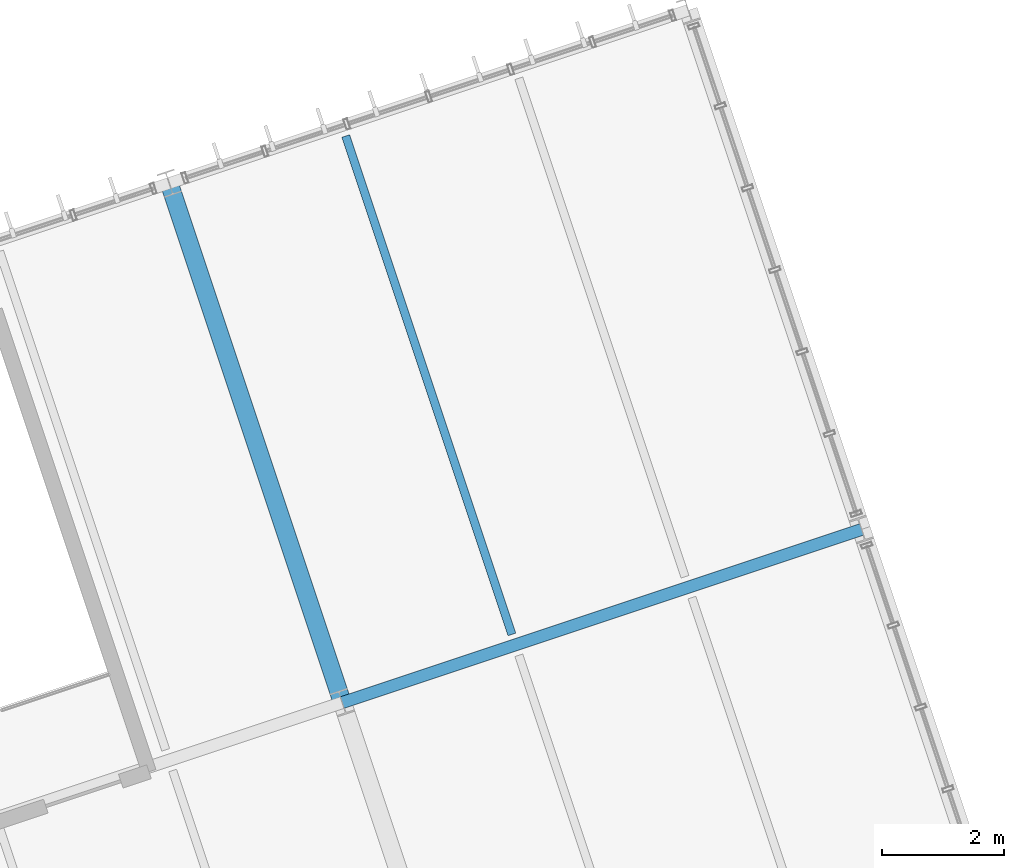
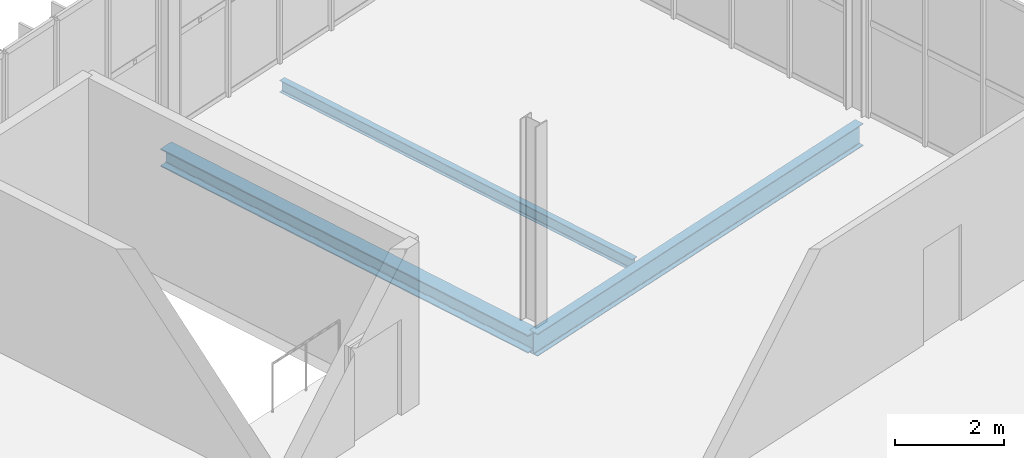
# One storey, part 89 of 152: 3 beams.
"""IFC4 building model written with IfcOpenShell, lengths in metres."""

from ifc_helpers import new_model, si_unit, derived_unit, direction, frame, origin, origin_2d, place, context, subcontext, project, spatial, i_section, extrude, material, material_profile, profile_set, type_object, element, save


model = new_model("IFC4")

# Units and contexts
model_context = context("Model", 3, precision=1e-05, world=origin(), true_north=direction((0.0, 1.0)))
body_context = subcontext(model_context, "Body", "Model", "MODEL_VIEW")
ifc_project = project(units=[si_unit("LENGTHUNIT", "METRE"), si_unit("AREAUNIT", "SQUARE_METRE"), si_unit("VOLUMEUNIT", "CUBIC_METRE"), si_unit("PLANEANGLEUNIT", "RADIAN"), si_unit("MASSUNIT", "GRAM", prefix="KILO"), si_unit("THERMODYNAMICTEMPERATUREUNIT", "KELVIN"), si_unit("TIMEUNIT", "SECOND"), derived_unit("THERMALTRANSMITTANCEUNIT", [(si_unit("MASSUNIT", "GRAM", prefix="KILO"), 1), (si_unit("THERMODYNAMICTEMPERATUREUNIT", "KELVIN"), -1), (si_unit("TIMEUNIT", "SECOND"), -3)])], contexts=[model_context])

# Site, building, storey
site_placement = place(None, origin())
site = spatial("IfcSite", under=ifc_project, at=site_placement, CompositionType="ELEMENT")
building_placement = place(site_placement, origin())
building = spatial("IfcBuilding", under=site, at=building_placement, Name="Cambertide Market Hall", CompositionType="ELEMENT")
storey_placement = place(building_placement, frame((0.0, 0.0, 5.39990234375)))
storey = spatial("IfcBuildingStorey", under=building, at=storey_placement, Name="L02", CompositionType="ELEMENT", Elevation=5.39990234375)

# Beams
ifc_material_1 = material(Name="Steel S355", Category="steel")
ifc_material_profile_1 = material_profile(ifc_material_1, i_section(OverallWidth=0.300048828125, OverallDepth=0.39990234375, WebThickness=0.013427734375, FlangeThickness=0.02392578125, FilletRadius=0.027099609375, at=origin_2d()), Name="HEB 400")
ifc_profile_set_1 = profile_set([ifc_material_profile_1], Name="Steel S355")
beam_type_1 = type_object("IfcBeamType", Name="Steel Girder HEB 400", PredefinedType="BEAM", material=ifc_profile_set_1)
beam_1_placement = place(storey_placement, frame((151.536865234375, 46.152587890625, -0.449951171875), z_axis=(-0.31624404204, 0.948677872554, 0.0), x_axis=(-0.948677872554, -0.31624404204, 0.0)))
element("IfcBeam", 1, at=beam_1_placement, inside=storey, type_object=beam_type_1, Name="Level 2 Beam BM-V3V-L02-7-3", PredefinedType="BEAM", context=body_context, shape_type="SweptSolid", body=[
    extrude(i_section(OverallWidth=0.300048828125, OverallDepth=0.39990234375, WebThickness=0.013427734375, FlangeThickness=0.02392578125, FilletRadius=0.027099609375, at=origin_2d()), origin(), (0.0, 0.0, 1.0), 9.0),
])
ifc_material_2 = material(Name="Steel S355", Category="steel")
ifc_material_profile_2 = material_profile(ifc_material_2, i_section(OverallWidth=0.199951171875, OverallDepth=0.5, WebThickness=0.01025390625, FlangeThickness=0.01611328125, FilletRadius=0.02099609375, at=origin_2d()), Name="IPE 500")
ifc_profile_set_2 = profile_set([ifc_material_profile_2], Name="Steel S355")
beam_type_2 = type_object("IfcBeamType", Name="Steel Girder IPE 500", PredefinedType="BEAM", material=ifc_profile_set_2)
beam_2_placement = place(storey_placement, frame((151.536865234375, 46.152587890625, -0.5), z_axis=(0.948686010717, 0.3162196279, 0.0), x_axis=(-0.3162196279, 0.948686010717, 0.0)))
element("IfcBeam", 2, at=beam_2_placement, inside=storey, type_object=beam_type_2, Name="Level 2 Beam BM-V3U-L02-7-3", PredefinedType="BEAM", context=body_context, shape_type="SweptSolid", body=[
    extrude(i_section(OverallWidth=0.199951171875, OverallDepth=0.5, WebThickness=0.01025390625, FlangeThickness=0.01611328125, FilletRadius=0.02099609375, at=origin_2d()), origin(), (0.0, 0.0, 1.0), 9.0),
])
ifc_material_3 = material(Name="Steel S275", Category="steel")
ifc_material_profile_3 = material_profile(ifc_material_3, i_section(OverallWidth=0.135009765625, OverallDepth=0.27001953125, WebThickness=0.006591796875, FlangeThickness=0.01025390625, FilletRadius=0.014892578125, at=origin_2d()), Name="IPE 270")
ifc_profile_set_3 = profile_set([ifc_material_profile_3], Name="Steel S275")
beam_type_3 = type_object("IfcBeamType", Name="Steel Secondary Joist IPE 270", PredefinedType="JOIST", material=ifc_profile_set_3)
beam_3_placement = place(storey_placement, frame((154.325927734375, 47.27197265625, -0.385009765625), z_axis=(-0.316219289033, 0.94868612367, 0.0), x_axis=(-0.94868612367, -0.316219289033, 0.0)))
element("IfcBeam", 3, at=beam_3_placement, inside=storey, type_object=beam_type_3, Name="Level 2 Joist JS-V3-L02-7-3-1", PredefinedType="JOIST", context=body_context, shape_type="SweptSolid", body=[
    extrude(i_section(OverallWidth=0.135009765625, OverallDepth=0.27001953125, WebThickness=0.006591796875, FlangeThickness=0.01025390625, FilletRadius=0.014892578125, at=origin_2d()), origin(), (0.0, 0.0, 1.0), 8.64013671875),
])

save(model, "model.ifc")
